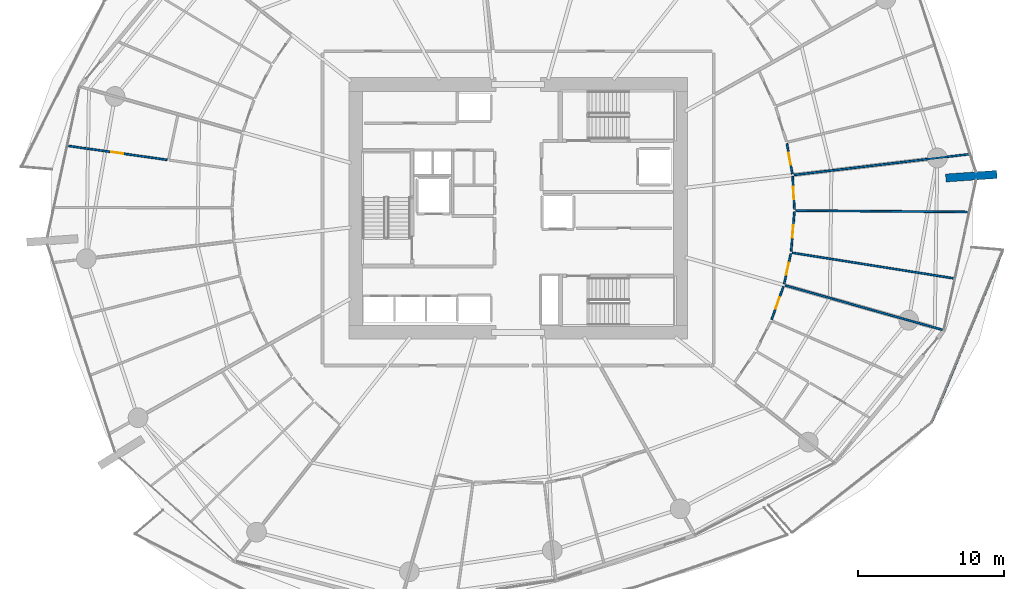
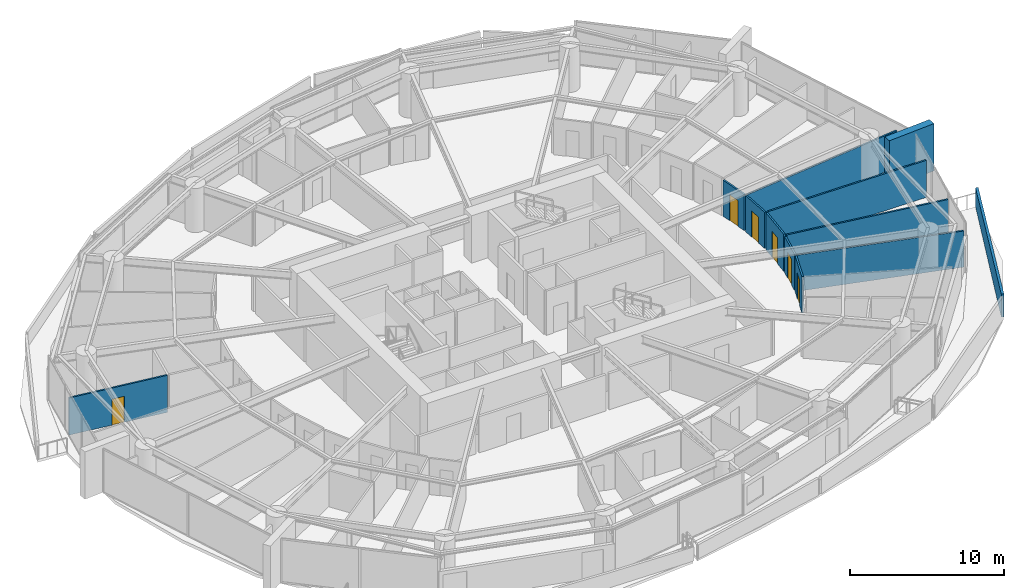
# One storey, part 22 of 32: 12 walls, 6 doors, 6 openings.
"""IFC4 building model written with IfcOpenShell, lengths in metres."""

from ifc_helpers import new_model, si_unit, direction, frame, frame_2d, origin, place, context, subcontext, project, spatial, polyline, rectangle, outline, extrude, material, layer, layer_set, type_object, element, fill, save


model = new_model("IFC4")

# Units and contexts
model_context = context("Model", 3, precision=1e-05, world=origin(), true_north=direction((0.0, 1.0)))
body_context = subcontext(model_context, "Body", "Model", "MODEL_VIEW")
ifc_project = project(units=[si_unit("LENGTHUNIT", "METRE"), si_unit("AREAUNIT", "SQUARE_METRE"), si_unit("VOLUMEUNIT", "CUBIC_METRE"), si_unit("PLANEANGLEUNIT", "RADIAN"), si_unit("MASSUNIT", "GRAM", prefix="KILO")], contexts=[model_context])

# Site, building, storey
site_placement = place(None, origin())
site = spatial("IfcSite", under=ifc_project, at=site_placement, CompositionType="ELEMENT")
building_placement = place(site_placement, origin())
building = spatial("IfcBuilding", under=site, at=building_placement, Name="Kazma Halo Residences", CompositionType="ELEMENT")
storey_placement = place(building_placement, frame((0.0, 0.0, 63.89990234375)))
storey = spatial("IfcBuildingStorey", under=building, at=storey_placement, Name="L15", CompositionType="ELEMENT", Elevation=63.89990234375)

# Walls
ifc_material_1 = material(Name="White Concrete C50/60 Balustrade", Category="concrete")
ifc_layer_1 = layer(ifc_material_1, 0.179931640625)
ifc_layer_set_1 = layer_set([ifc_layer_1], Name="White Concrete C50/60 Balustrade")
wall_type_1 = type_object("IfcWallType", Name="WL-BAL-WAVE-180", PredefinedType="PARAPET", material=ifc_layer_set_1)
wall_1_placement = place(storey_placement, frame((76.76318359375, 27.478515625, 0.0), z_axis=(0.0, 0.0, 1.0), x_axis=(0.381082407016, 0.924541074838, 0.0)))
element("IfcWall", 1, at=wall_1_placement, inside=storey, type_object=wall_type_1, Name="L15 white wave balustrade wall SE.2", PredefinedType="PARAPET", context=body_context, shape_type="SweptSolid", body=[
    extrude(outline(polyline([(0.0, 0.0), (12.625244140625, 0.0), (12.625244140625, 1.4970703125), (6.3125, 1.696044921875), (0.0, 1.83203125), (0.0, 0.0)])), frame((0.0, 0.08984375, 0.0), z_axis=(0.0, -1.0, 0.0), x_axis=(1.0, 0.0, 0.0)), (0.0, 0.0, 1.0), 0.179931640625),
])
ifc_material_2 = material(Name="Pale Concrete C60/75", Category="concrete")
ifc_layer_2 = layer(ifc_material_2, 0.550048828125)
ifc_layer_set_2 = layer_set([ifc_layer_2], Name="Pale Concrete C60/75")
wall_type_2 = type_object("IfcWallType", Name="WL-BLADE-550", PredefinedType="SOLIDWALL", material=ifc_layer_set_2)
wall_2_placement = place(storey_placement, frame((77.677978515625, 44.0751953125, 0.0), z_axis=(0.0, 0.0, 1.0), x_axis=(0.997564163539, 0.069754853754, 0.0)))
element("IfcWall", 2, at=wall_2_placement, inside=storey, type_object=wall_type_2, Name="L15 pale concrete structural blade fin wall BW-04", PredefinedType="SOLIDWALL", context=body_context, shape_type="SweptSolid", body=[
    extrude(rectangle(XDim=3.5, YDim=0.550048828125, at=frame_2d((1.75, 0.0))), origin(), (0.0, 0.0, 1.0), 3.75),
])

# Wall, opening, door
ifc_material_3 = material(Name="Gypsum Plasterboard Partition")
ifc_layer_3 = layer(ifc_material_3, 0.125)
ifc_layer_set_3 = layer_set([ifc_layer_3], Name="Gypsum Plasterboard Partition")
wall_type_3 = type_object("IfcWallType", Name="WL-PART-125", PredefinedType="PARTITIONING", material=ifc_layer_set_3)
wall_3_placement = place(storey_placement, frame((24.42236328125, 45.31787109375, 0.0), z_axis=(0.0, 0.0, 1.0), x_axis=(-0.990243959665, 0.139344538274, 0.0)))
wall_3 = element("IfcWall", 3, at=wall_3_placement, inside=storey, type_object=wall_type_3, Name="L15 Apartment 1 Inner Walk-In Wardrobe partition wall", PredefinedType="PARTITIONING", context=body_context, shape_type="SweptSolid", body=[
    extrude(rectangle(XDim=6.88037109375, YDim=0.125, at=frame_2d((3.440185546875, 0.0))), origin(), (0.0, 0.0, 1.0), 2.940185546875),
])
opening_1_placement = place(wall_3_placement, frame((3.01513671875, 0.0, 0.0)))
opening_1 = element("IfcOpeningElement", 4, at=opening_1_placement, cuts=wall_3, Name="Opening DB-900", PredefinedType="OPENING", context=body_context, shape_type="SweptSolid", body=[
    extrude(rectangle(XDim=0.85009765625, YDim=2.06005859375, at=frame_2d((0.425048828125, 1.030029296875))), frame((0.0, 0.072509765625, 0.0), z_axis=(0.0, -1.0, 0.0), x_axis=(1.0, 0.0, 0.0)), (0.0, 0.0, 1.0), 0.14501953125),
])
ifc_material_4 = material(Name="Moisture-Sealed Timber Leaf", Category="wood")
door_type = type_object("IfcDoorType", Name="DR-BTH-900", OperationType="NOTDEFINED", PredefinedType="DOOR", material=ifc_material_4)
door_1_placement = place(opening_1_placement, origin())
door_1 = element("IfcDoor", 5, at=door_1_placement, inside=storey, type_object=door_type, Name="L15 Apartment 1 Inner Walk-In Wardrobe door", OperationType="SINGLE_SWING_LEFT", OverallHeight=2.06005859375, OverallWidth=0.85009765625, PredefinedType="DOOR", context=body_context, shape_type="SweptSolid", body=[
    extrude(rectangle(XDim=0.85009765625, YDim=2.06005859375, at=frame_2d((0.425048828125, 1.030029296875))), frame((0.0, 0.02490234375, 0.0), z_axis=(0.0, -1.0, 0.0), x_axis=(1.0, 0.0, 0.0)), (0.0, 0.0, 1.0), 0.050048828125),
])
fill(opening_1, door_1)

wall_4_placement = place(storey_placement, frame((65.76904296875, 34.39599609375, 0.0), z_axis=(0.0, 0.0, 1.0), x_axis=(0.335079884685, 0.942189721277, 0.0)))
wall_4 = element("IfcWall", 6, at=wall_4_placement, inside=storey, type_object=wall_type_3, Name="L15 Apartment 3 Primary Bedroom hall wall", PredefinedType="PARTITIONING", context=body_context, shape_type="SweptSolid", body=[
    extrude(rectangle(XDim=2.400634765625, YDim=0.125, at=frame_2d((1.2001953125, 0.0))), origin(), (0.0, 0.0, 1.0), 2.8671875),
])
opening_2_placement = place(wall_4_placement, frame((0.775390625, 0.0, 0.0)))
opening_2 = element("IfcOpeningElement", 7, at=opening_2_placement, cuts=wall_4, Name="Opening DB-900", PredefinedType="OPENING", context=body_context, shape_type="SweptSolid", body=[
    extrude(rectangle(XDim=0.85009765625, YDim=2.06005859375, at=frame_2d((0.425048828125, 1.030029296875))), frame((0.0, 0.072509765625, 0.0), z_axis=(0.0, -1.0, 0.0), x_axis=(1.0, 0.0, 0.0)), (0.0, 0.0, 1.0), 0.14501953125),
])
door_2_placement = place(opening_2_placement, origin())
door_2 = element("IfcDoor", 8, at=door_2_placement, inside=storey, type_object=door_type, Name="L15 Apartment 3 Primary Bedroom door", OperationType="SINGLE_SWING_RIGHT", OverallHeight=2.06005859375, OverallWidth=0.85009765625, PredefinedType="DOOR", context=body_context, shape_type="SweptSolid", body=[
    extrude(rectangle(XDim=0.85009765625, YDim=2.06005859375, at=frame_2d((0.425048828125, 1.030029296875))), frame((0.0, 0.02490234375, 0.0), z_axis=(0.0, -1.0, 0.0), x_axis=(1.0, 0.0, 0.0)), (0.0, 0.0, 1.0), 0.050048828125),
])
fill(opening_2, door_2)

# Walls
wall_5_placement = place(storey_placement, frame((66.703369140625, 36.72509765625, 0.0), z_axis=(0.0, 0.0, 1.0), x_axis=(0.962456868727, -0.271434662195, 0.0)))
element("IfcWall", 9, at=wall_5_placement, inside=storey, type_object=wall_type_3, Name="L15 Apartment 3 radial partition 14", PredefinedType="PARTITIONING", context=body_context, shape_type="SweptSolid", body=[
    extrude(rectangle(XDim=11.141357421875, YDim=0.125, at=frame_2d((5.57080078125, 0.0))), origin(), (0.0, 0.0, 1.0), 2.8671875),
])
wall_6_placement = place(storey_placement, frame((67.183837890625, 38.961669921875, 0.0), z_axis=(0.0, 0.0, 1.0), x_axis=(0.987685842404, -0.156450237182, 0.0)))
element("IfcWall", 10, at=wall_6_placement, inside=storey, type_object=wall_type_3, Name="L15 Apartment 3 bay wall 1 14", PredefinedType="PARTITIONING", context=body_context, shape_type="SweptSolid", body=[
    extrude(rectangle(XDim=11.234130859375, YDim=0.125, at=frame_2d((5.6171875, 0.0))), origin(), (0.0, 0.0, 1.0), 2.940185546875),
])
wall_7_placement = place(storey_placement, frame((67.42236328125, 41.847412109375, 0.0), z_axis=(0.0, 0.0, 1.0), x_axis=(0.999969106173, -0.007860451618, 0.0)))
element("IfcWall", 11, at=wall_7_placement, inside=storey, type_object=wall_type_3, Name="L15 Apartment 3 bay wall 2 14", PredefinedType="PARTITIONING", context=body_context, shape_type="SweptSolid", body=[
    extrude(rectangle(XDim=11.83349609375, YDim=0.125, at=frame_2d((5.916748046875, 0.0))), origin(), (0.0, 0.0, 1.0), 2.940185546875),
])

# Wall, opening, door
wall_8_placement = place(storey_placement, frame((66.624267578125, 36.830322265625, 0.0), z_axis=(0.0, 0.0, 1.0), x_axis=(0.214316036982, 0.976764370917, 0.0)))
wall_8 = element("IfcWall", 12, at=wall_8_placement, inside=storey, type_object=wall_type_3, Name="L15 Apartment 3 Primary Bedroom hall wall", PredefinedType="PARTITIONING", context=body_context, shape_type="SweptSolid", body=[
    extrude(rectangle(XDim=2.116455078125, YDim=0.125, at=frame_2d((1.05810546875, 0.0))), origin(), (0.0, 0.0, 1.0), 2.8671875),
])
opening_3_placement = place(wall_8_placement, frame((0.63330078125, 0.0, 0.0)))
opening_3 = element("IfcOpeningElement", 13, at=opening_3_placement, cuts=wall_8, Name="Opening DB-900", PredefinedType="OPENING", context=body_context, shape_type="SweptSolid", body=[
    extrude(rectangle(XDim=0.85009765625, YDim=2.06005859375, at=frame_2d((0.425048828125, 1.030029296875))), frame((0.0, 0.072509765625, 0.0), z_axis=(0.0, -1.0, 0.0), x_axis=(1.0, 0.0, 0.0)), (0.0, 0.0, 1.0), 0.14501953125),
])
door_3_placement = place(opening_3_placement, origin())
door_3 = element("IfcDoor", 14, at=door_3_placement, inside=storey, type_object=door_type, Name="L15 Apartment 3 Primary Bedroom door", OperationType="SINGLE_SWING_LEFT", OverallHeight=2.06005859375, OverallWidth=0.85009765625, PredefinedType="DOOR", context=body_context, shape_type="SweptSolid", body=[
    extrude(rectangle(XDim=0.85009765625, YDim=2.06005859375, at=frame_2d((0.425048828125, 1.030029296875))), frame((0.0, 0.02490234375, 0.0), z_axis=(0.0, -1.0, 0.0), x_axis=(1.0, 0.0, 0.0)), (0.0, 0.0, 1.0), 0.050048828125),
])
fill(opening_3, door_3)

wall_9_placement = place(storey_placement, frame((67.1015625, 39.055419921875, 0.0), z_axis=(0.0, 0.0, 1.0), x_axis=(0.082325550285, 0.996605490538, 0.0)))
wall_9 = element("IfcWall", 15, at=wall_9_placement, inside=storey, type_object=wall_type_3, Name="L15 Apartment 3 Secondary Dressing Wardrobe hall wall", PredefinedType="PARTITIONING", context=body_context, shape_type="SweptSolid", body=[
    extrude(rectangle(XDim=2.722412109375, YDim=0.125, at=frame_2d((1.361328125, 0.0))), origin(), (0.0, 0.0, 1.0), 2.940185546875),
])
opening_4_placement = place(wall_9_placement, frame((0.936279296875, 0.0, 0.0)))
opening_4 = element("IfcOpeningElement", 16, at=opening_4_placement, cuts=wall_9, Name="Opening DB-900", PredefinedType="OPENING", context=body_context, shape_type="SweptSolid", body=[
    extrude(rectangle(XDim=0.85009765625, YDim=2.06005859375, at=frame_2d((0.425048828125, 1.030029296875))), frame((0.0, 0.072509765625, 0.0), z_axis=(0.0, -1.0, 0.0), x_axis=(1.0, 0.0, 0.0)), (0.0, 0.0, 1.0), 0.14501953125),
])
door_4_placement = place(opening_4_placement, origin())
door_4 = element("IfcDoor", 17, at=door_4_placement, inside=storey, type_object=door_type, Name="L15 Apartment 3 Secondary Dressing Wardrobe door", OperationType="SINGLE_SWING_RIGHT", OverallHeight=2.06005859375, OverallWidth=0.85009765625, PredefinedType="DOOR", context=body_context, shape_type="SweptSolid", body=[
    extrude(rectangle(XDim=0.85009765625, YDim=2.06005859375, at=frame_2d((0.425048828125, 1.030029296875))), frame((0.0, 0.02490234375, 0.0), z_axis=(0.0, -1.0, 0.0), x_axis=(1.0, 0.0, 0.0)), (0.0, 0.0, 1.0), 0.050048828125),
])
fill(opening_4, door_4)

wall_10_placement = place(storey_placement, frame((67.327880859375, 41.927978515625, 0.0), z_axis=(0.0, 0.0, 1.0), x_axis=(-0.054903584575, 0.998491660657, 0.0)))
wall_10 = element("IfcWall", 18, at=wall_10_placement, inside=storey, type_object=wall_type_3, Name="L15 Apartment 3 East Master Bedroom hall wall", PredefinedType="PARTITIONING", context=body_context, shape_type="SweptSolid", body=[
    extrude(rectangle(XDim=2.267822265625, YDim=0.125, at=frame_2d((1.1337890625, 0.0))), origin(), (0.0, 0.0, 1.0), 2.8671875),
])
opening_5_placement = place(wall_10_placement, frame((0.708984375, 0.0, 0.0)))
opening_5 = element("IfcOpeningElement", 19, at=opening_5_placement, cuts=wall_10, Name="Opening DB-900", PredefinedType="OPENING", context=body_context, shape_type="SweptSolid", body=[
    extrude(rectangle(XDim=0.85009765625, YDim=2.06005859375, at=frame_2d((0.425048828125, 1.030029296875))), frame((0.0, 0.072509765625, 0.0), z_axis=(0.0, -1.0, 0.0), x_axis=(1.0, 0.0, 0.0)), (0.0, 0.0, 1.0), 0.14501953125),
])
door_5_placement = place(opening_5_placement, origin())
door_5 = element("IfcDoor", 20, at=door_5_placement, inside=storey, type_object=door_type, Name="L15 Apartment 3 East Master Bedroom door", OperationType="SINGLE_SWING_LEFT", OverallHeight=2.06005859375, OverallWidth=0.85009765625, PredefinedType="DOOR", context=body_context, shape_type="SweptSolid", body=[
    extrude(rectangle(XDim=0.85009765625, YDim=2.06005859375, at=frame_2d((0.425048828125, 1.030029296875))), frame((0.0, 0.02490234375, 0.0), z_axis=(0.0, -1.0, 0.0), x_axis=(1.0, 0.0, 0.0)), (0.0, 0.0, 1.0), 0.050048828125),
])
fill(opening_5, door_5)

# Wall
wall_11_placement = place(storey_placement, frame((67.29833984375, 44.2841796875, 0.0), z_axis=(0.0, 0.0, 1.0), x_axis=(0.993068589749, 0.117536275483, 0.0)))
element("IfcWall", 21, at=wall_11_placement, inside=storey, type_object=wall_type_3, Name="L15 Apartment 3 radial partition 15", PredefinedType="PARTITIONING", context=body_context, shape_type="SweptSolid", body=[
    extrude(rectangle(XDim=12.105712890625, YDim=0.125, at=frame_2d((6.052734375, 0.0))), origin(), (0.0, 0.0, 1.0), 2.8671875),
])

# Wall, opening, door
wall_12_placement = place(storey_placement, frame((67.184814453125, 44.351318359375, 0.0), z_axis=(0.0, 0.0, 1.0), x_axis=(-0.175726743029, 0.984438983271, 0.0)))
wall_12 = element("IfcWall", 22, at=wall_12_placement, inside=storey, type_object=wall_type_3, Name="L15 Apartment 3 West Bedroom hall wall", PredefinedType="PARTITIONING", context=body_context, shape_type="SweptSolid", body=[
    extrude(rectangle(XDim=2.115966796875, YDim=0.125, at=frame_2d((1.05810546875, 0.0))), origin(), (0.0, 0.0, 1.0), 2.8671875),
])
opening_6_placement = place(wall_12_placement, frame((0.633056640625, 0.0, 0.0)))
opening_6 = element("IfcOpeningElement", 23, at=opening_6_placement, cuts=wall_12, Name="Opening DB-900", PredefinedType="OPENING", context=body_context, shape_type="SweptSolid", body=[
    extrude(rectangle(XDim=0.85009765625, YDim=2.06005859375, at=frame_2d((0.425048828125, 1.030029296875))), frame((0.0, 0.072509765625, 0.0), z_axis=(0.0, -1.0, 0.0), x_axis=(1.0, 0.0, 0.0)), (0.0, 0.0, 1.0), 0.14501953125),
])
door_6_placement = place(opening_6_placement, origin())
door_6 = element("IfcDoor", 24, at=door_6_placement, inside=storey, type_object=door_type, Name="L15 Apartment 3 West Bedroom door", OperationType="SINGLE_SWING_RIGHT", OverallHeight=2.06005859375, OverallWidth=0.85009765625, PredefinedType="DOOR", context=body_context, shape_type="SweptSolid", body=[
    extrude(rectangle(XDim=0.85009765625, YDim=2.06005859375, at=frame_2d((0.425048828125, 1.030029296875))), frame((0.0, 0.02490234375, 0.0), z_axis=(0.0, -1.0, 0.0), x_axis=(1.0, 0.0, 0.0)), (0.0, 0.0, 1.0), 0.050048828125),
])
fill(opening_6, door_6)

save(model, "model.ifc")
